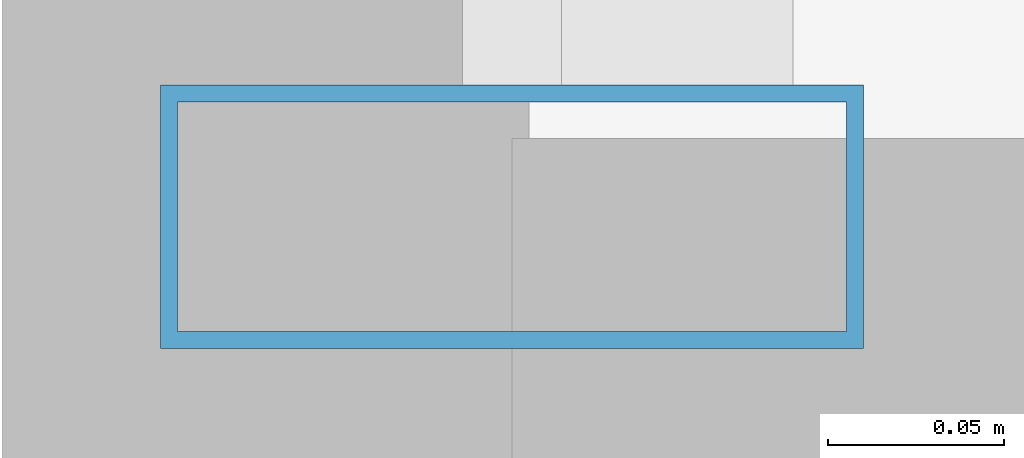
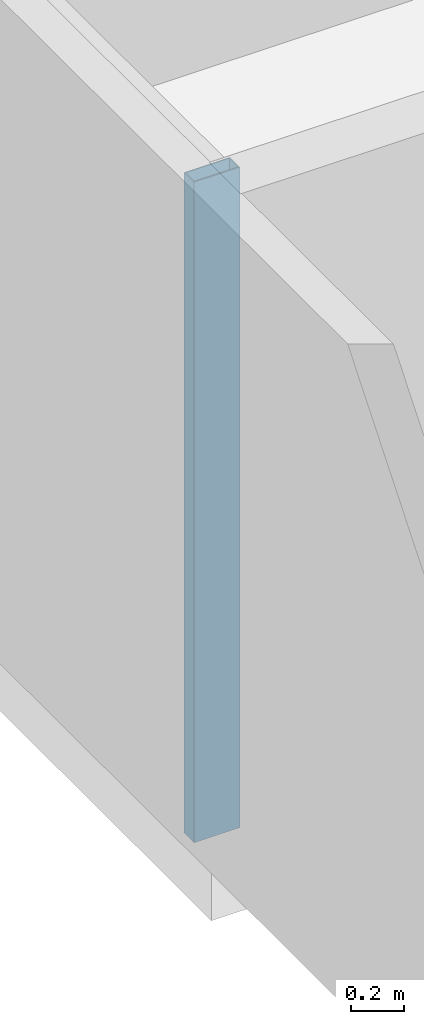
# One storey, part 2 of 29: 1 member, 1 element without a shape of its own.
"""IFC4 building model written with IfcOpenShell, lengths in metres."""

import ifcopenshell
import ifcopenshell.guid

model = None  # the IFC model being written
_history = None  # IfcOwnerHistory: only IFC2X3 demands one
_inside = {}  # id of a spatial element -> (the spatial element, [elements in it])
_under = {}  # id of a project, library or spatial element -> (it, [spatial elements below it])
_declared = {}  # id of a project -> (the project, [libraries it declares])
_typed = {}  # id of a type object -> (the type object, [elements of that type])
_made_of = {}  # id of a material, layer set ... -> (it, [elements and type objects made of it])


def new_model(schema):
    """Start an empty IFC model of exactly this schema.

    Asked for "IFC4X3", IfcOpenShell would pick the latest addendum, in which some entities
    have other attributes; the version numbers below select the first issue.
    IFC2X3 requires an IfcOwnerHistory on every rooted entity: one is made here for all.
    """
    global model, _history
    if schema == "IFC4X3":
        model = ifcopenshell.file(schema_version=(4, 3, 0, 0))
    else:
        model = ifcopenshell.file(schema=schema)
    _inside.clear()
    _under.clear()
    _declared.clear()
    _typed.clear()
    _made_of.clear()
    _history = None
    if model.schema == "IFC2X3":
        org = make("IfcOrganization", Name="unknown")
        user = make(
            "IfcPersonAndOrganization",
            ThePerson=make("IfcPerson", FamilyName="unknown"),
            TheOrganization=org,
        )
        app = make(
            "IfcApplication",
            ApplicationDeveloper=org,
            Version="unknown",
            ApplicationFullName="unknown",
            ApplicationIdentifier="unknown",
        )
        _history = make(
            "IfcOwnerHistory",
            OwningUser=user,
            OwningApplication=app,
            ChangeAction="ADDED",
            CreationDate=0,
        )
    return model


def make(cls, **values):
    """One entity of the class cls with the attributes given. An attribute that is None is left unset."""
    return model.create_entity(
        cls, **{name: value for name, value in values.items() if value is not None}
    )


def rooted(cls, **values):
    """An entity with a GlobalId (a new one), such as an element, a storey or a relation."""
    return make(cls, GlobalId=ifcopenshell.guid.new(), OwnerHistory=_history, **values)


def si_unit(unit_type, name, prefix=None):
    """IfcSIUnit, for example si_unit("LENGTHUNIT", "METRE", prefix="MILLI")."""
    return make("IfcSIUnit", UnitType=unit_type, Prefix=prefix, Name=name)


def assignment(units):
    """IfcUnitAssignment: the units of a project."""
    return None if units is None else make("IfcUnitAssignment", Units=units)


def point(xyz):
    """IfcCartesianPoint."""
    return None if xyz is None else make("IfcCartesianPoint", Coordinates=xyz)


def direction(xyz):
    """IfcDirection."""
    return None if xyz is None else make("IfcDirection", DirectionRatios=xyz)


def frame(location, z_axis=None, x_axis=None):
    """IfcAxis2Placement3D, a coordinate frame: its origin and axes. An axis left out is left unset."""
    return make(
        "IfcAxis2Placement3D",
        Location=point(location),
        Axis=direction(z_axis),
        RefDirection=direction(x_axis),
    )


def frame_2d(location, x_axis=None):
    """IfcAxis2Placement2D, a coordinate frame in the plane: its origin and x axis."""
    return make(
        "IfcAxis2Placement2D", Location=point(location), RefDirection=direction(x_axis)
    )


def origin():
    """The frame at (0, 0, 0) with its axes left unset."""
    return frame((0.0, 0.0, 0.0))


def origin_2d():
    """The frame at (0, 0) in the plane with its x axis left unset."""
    return frame_2d((0.0, 0.0))


def place(relative_to, where):
    """IfcLocalPlacement: puts the frame where relative to a parent placement (None: the world)."""
    return make(
        "IfcLocalPlacement", PlacementRelTo=relative_to, RelativePlacement=where
    )


def context(
    kind, dimensions, precision=None, world=None, true_north=None, identifier=None
):
    """IfcGeometricRepresentationContext, for example the 3D "Model" context."""
    return make(
        "IfcGeometricRepresentationContext",
        ContextIdentifier=identifier,
        ContextType=kind,
        CoordinateSpaceDimension=dimensions,
        Precision=precision,
        WorldCoordinateSystem=world,
        TrueNorth=true_north,
    )


def subcontext(parent, identifier, kind, view, scale=None):
    """IfcGeometricRepresentationSubContext, for example "Body" below "Model"."""
    return make(
        "IfcGeometricRepresentationSubContext",
        ContextIdentifier=identifier,
        ContextType=kind,
        ParentContext=parent,
        TargetScale=scale,
        TargetView=view,
    )


def project(units=None, contexts=None):
    """IfcProject with its units and contexts."""
    return rooted(
        "IfcProject",
        Name="project",
        RepresentationContexts=contexts,
        UnitsInContext=assignment(units),
    )


def spatial(cls, under=None, at=None, **own):
    """A site, building, storey or space (cls), placed at a placement, below another one or the project."""
    s = rooted(cls, ObjectPlacement=at, **own)
    if under is not None:
        _under.setdefault(under.id(), (under, []))[1].append(s)
    return s


def profile(cls, at=None, kind="AREA", **sizes):
    """A parametric profile (cls). Its sizes go by their IFC names, for example OverallWidth=200.0."""
    return make(cls, ProfileType=kind, Position=at, **sizes)


def hollow_rectangle(**sizes):
    """IfcRectangleHollowProfileDef."""
    return profile("IfcRectangleHollowProfileDef", **sizes)


def extrude(swept, where, along, depth):
    """IfcExtrudedAreaSolid: the profile swept, set in the frame where, extruded along a direction by depth."""
    return make(
        "IfcExtrudedAreaSolid",
        SweptArea=swept,
        Position=where,
        ExtrudedDirection=direction(along),
        Depth=depth,
    )


def shape(context_of_items, identifier, shape_type, items):
    """IfcShapeRepresentation: the items that make up one representation, for example the "Body"."""
    return make(
        "IfcShapeRepresentation",
        ContextOfItems=context_of_items,
        RepresentationIdentifier=identifier,
        RepresentationType=shape_type,
        Items=items,
    )


def source(mapping_origin, context_of_items, identifier, shape_type, items):
    """IfcRepresentationMap: a shape defined once, which mapped items show again and again."""
    return make(
        "IfcRepresentationMap",
        MappingOrigin=mapping_origin,
        MappedRepresentation=shape(context_of_items, identifier, shape_type, items),
    )


def transform(
    local_origin,
    x_axis=None,
    y_axis=None,
    z_axis=None,
    scale=None,
    scale2=None,
    scale3=None,
    uniform=True,
):
    """IfcCartesianTransformationOperator3D, or its non-uniform kind. x_axis, y_axis, z_axis: its Axis1, 2, 3."""
    if uniform:
        return make(
            "IfcCartesianTransformationOperator3D",
            Axis1=direction(x_axis),
            Axis2=direction(y_axis),
            LocalOrigin=point(local_origin),
            Scale=scale,
            Axis3=direction(z_axis),
        )
    return make(
        "IfcCartesianTransformationOperator3DnonUniform",
        Axis1=direction(x_axis),
        Axis2=direction(y_axis),
        LocalOrigin=point(local_origin),
        Scale=scale,
        Axis3=direction(z_axis),
        Scale2=scale2,
        Scale3=scale3,
    )


def mapped(mapping_source, mapping_target):
    """IfcMappedItem: shows the shape of a source again, moved by a transform."""
    return make(
        "IfcMappedItem", MappingSource=mapping_source, MappingTarget=mapping_target
    )


def material(Name=None, Category=None):
    """IfcMaterial."""
    return make("IfcMaterial", Name=Name, Category=Category)


def layer(
    of_material, thickness, ventilated=None, Name=None, Category=None, Priority=None
):
    """IfcMaterialLayer: one layer of a wall or slab, of a material (None: an air gap)."""
    return make(
        "IfcMaterialLayer",
        Material=of_material,
        LayerThickness=thickness,
        IsVentilated=ventilated,
        Name=Name,
        Category=Category,
        Priority=Priority,
    )


def layer_set(layers, Name=None):
    """IfcMaterialLayerSet."""
    return make("IfcMaterialLayerSet", MaterialLayers=layers, LayerSetName=Name)


def material_profile(
    of_material, cross_section, Name=None, Category=None, Priority=None
):
    """IfcMaterialProfile: a cross section and its material."""
    return make(
        "IfcMaterialProfile",
        Name=Name,
        Material=of_material,
        Profile=cross_section,
        Priority=Priority,
        Category=Category,
    )


def profile_set(profiles, Name=None, composite=None):
    """IfcMaterialProfileSet."""
    return make(
        "IfcMaterialProfileSet",
        Name=Name,
        MaterialProfiles=profiles,
        CompositeProfile=composite,
    )


def made_of(thing, what):
    """Note that an element or type object is made of a material, layer set ...; save() writes the relation."""
    if what is not None:
        _made_of.setdefault(what.id(), (what, []))[1].append(thing)
    return thing


def type_object(cls, material=None, **own):
    """A type object (cls), such as IfcWallType, which elements share."""
    return made_of(rooted(cls, **own), material)


def element(
    cls,
    number,
    at=None,
    inside=None,
    cuts=None,
    type_object=None,
    material=None,
    context=None,
    identifier="Body",
    shape_type=None,
    held_by="IfcProductDefinitionShape",
    body=None,
    shapes=None,
    **own,
):
    """One element of the class cls, such as IfcWall. Its Tag is "e" and its number.

    at: its placement. inside: the storey or other place that contains it. cuts: it is an
    opening in that element (IfcRelVoidsElement). A single representation is given by context,
    identifier, shape_type and body (its items); several are given by shapes. held_by: the class
    of the entity that holds the representations. save() writes the other relations.
    """
    e = rooted(cls, Tag="e%d" % number, ObjectPlacement=at, **own)
    if body is not None:
        shapes = [shape(context, identifier, shape_type, body)]
    if shapes is not None:
        e.Representation = make(held_by, Representations=shapes)
    if inside is not None:
        _inside.setdefault(inside.id(), (inside, []))[1].append(e)
    if cuts is not None:
        rooted(
            "IfcRelVoidsElement", RelatingBuildingElement=cuts, RelatedOpeningElement=e
        )
    if type_object is not None:
        _typed.setdefault(type_object.id(), (type_object, []))[1].append(e)
    return made_of(e, material)


def aggregate(whole, parts):
    """IfcRelAggregates: a whole, such as a stair, and the parts it consists of."""
    return rooted("IfcRelAggregates", RelatingObject=whole, RelatedObjects=parts)


def save(model, path):
    """Write the relations noted so far, then the file.

    IfcRelAggregates (storeys below a building ...), IfcRelContainedInSpatialStructure (elements
    in a storey), IfcRelDefinesByType, IfcRelAssociatesMaterial and IfcRelDeclares: one each for
    every whole, place, type object, material and project.
    """
    for whole, parts in _under.values():
        aggregate(whole, parts)
    for where, things in _inside.values():
        rooted(
            "IfcRelContainedInSpatialStructure",
            RelatedElements=things,
            RelatingStructure=where,
        )
    for kind, things in _typed.values():
        rooted("IfcRelDefinesByType", RelatedObjects=things, RelatingType=kind)
    for what, things in _made_of.values():
        rooted("IfcRelAssociatesMaterial", RelatedObjects=things, RelatingMaterial=what)
    for by, libraries in _declared.values():
        rooted("IfcRelDeclares", RelatingContext=by, RelatedDefinitions=libraries)
    model.write(path)


model = new_model("IFC4")

# Units and contexts
model_context = context("Model", 3, precision=1e-05, world=origin(), true_north=direction((0.0, 1.0)))
body_context = subcontext(model_context, "Body", "Model", "MODEL_VIEW")
ifc_project = project(units=[si_unit("LENGTHUNIT", "METRE"), si_unit("AREAUNIT", "SQUARE_METRE"), si_unit("VOLUMEUNIT", "CUBIC_METRE"), si_unit("PLANEANGLEUNIT", "RADIAN"), si_unit("MASSUNIT", "GRAM", prefix="KILO")], contexts=[model_context])

# Site, building, storey
site_placement = place(None, origin())
site = spatial("IfcSite", under=ifc_project, at=site_placement, CompositionType="ELEMENT")
building_placement = place(site_placement, origin())
building = spatial("IfcBuilding", under=site, at=building_placement, Name="Zarnakvel Exchange Tower", CompositionType="ELEMENT")
storey_placement = place(building_placement, frame((0.0, 0.0, 37.300048828125)))
storey = spatial("IfcBuildingStorey", under=building, at=storey_placement, Name="L09", CompositionType="ELEMENT", Elevation=37.300048828125)

# Curtain wall, member
ifc_material = material(Name="Architectural Bronze Anodised Aluminium", Category="aluminium")
ifc_layer = layer(ifc_material, 0.199951171875)
ifc_layer_set = layer_set([ifc_layer], Name="Architectural Bronze Anodised Aluminium")
curtain_wall_type = type_object("IfcCurtainWallType", Name="CW-04", PredefinedType="NOTDEFINED", material=ifc_layer_set)
curtain_wall_placement = place(storey_placement, origin())
curtain_wall = element("IfcCurtainWall", 1, at=curtain_wall_placement, inside=storey, type_object=curtain_wall_type, Name="L09 Curtain Wall CW-L09-W1 (CW-04)", PredefinedType="NOTDEFINED")
ifc_material_profile = material_profile(ifc_material, hollow_rectangle(XDim=0.199951171875, YDim=0.074951171875, WallThickness=0.0048828125, at=origin_2d()))
ifc_profile_set = profile_set([ifc_material_profile], Name="Architectural Bronze Anodised Aluminium")
member_type = type_object("IfcMemberType", Name="CWM-04", PredefinedType="MULLION", material=ifc_profile_set)
shared_shape = source(origin(), body_context, "Body", "SweptSolid", [
    extrude(hollow_rectangle(XDim=0.199951171875, YDim=0.074951171875, WallThickness=0.0048828125, at=origin_2d()), origin(), (0.0, 0.0, 1.0), 3.054931640625),
])
member_placement = place(storey_placement, frame((-32.4599609375, -14.96240234375, 0.0), z_axis=(0.0, 0.0, 1.0), x_axis=(-1.0, 0.0, 0.0)))
member = element("IfcMember", 2, at=member_placement, type_object=member_type, Name="CW-04 mullion 1", PredefinedType="MULLION", context=body_context, shape_type="MappedRepresentation", body=[
    mapped(shared_shape, transform((0.0, 0.0, 0.0), x_axis=(1.0, 0.0, 0.0), y_axis=(0.0, 1.0, 0.0), z_axis=(0.0, 0.0, 1.0), scale=1.0)),
])
aggregate(curtain_wall, [member])

save(model, "model.ifc")
